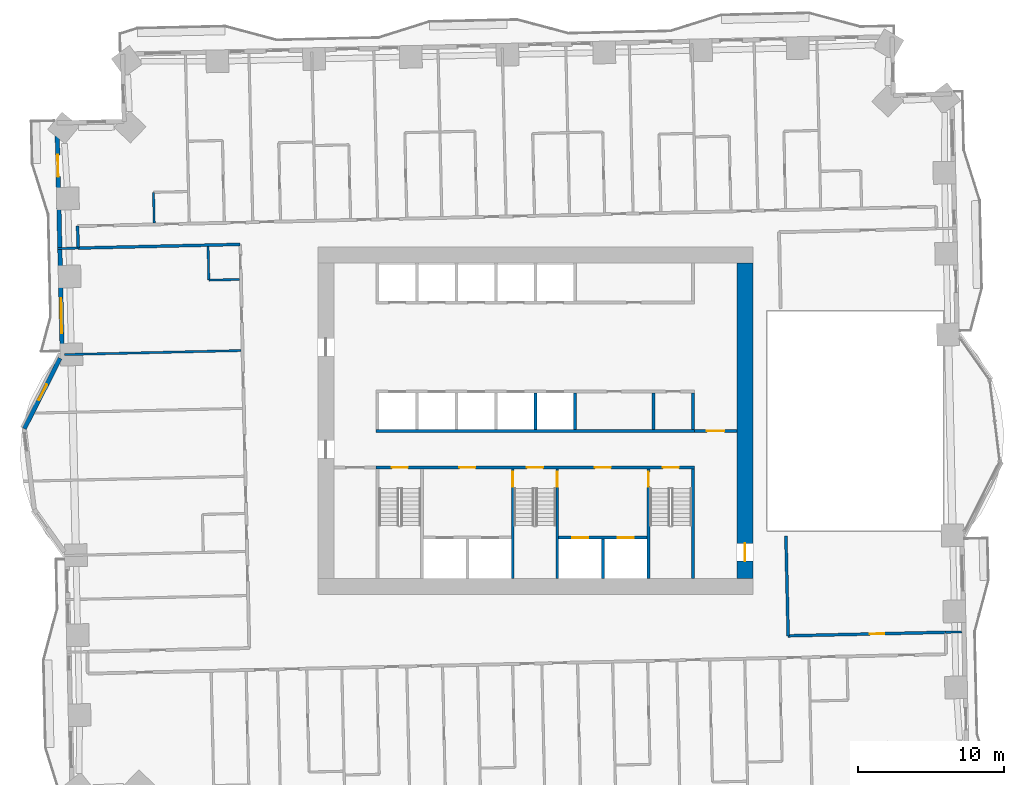
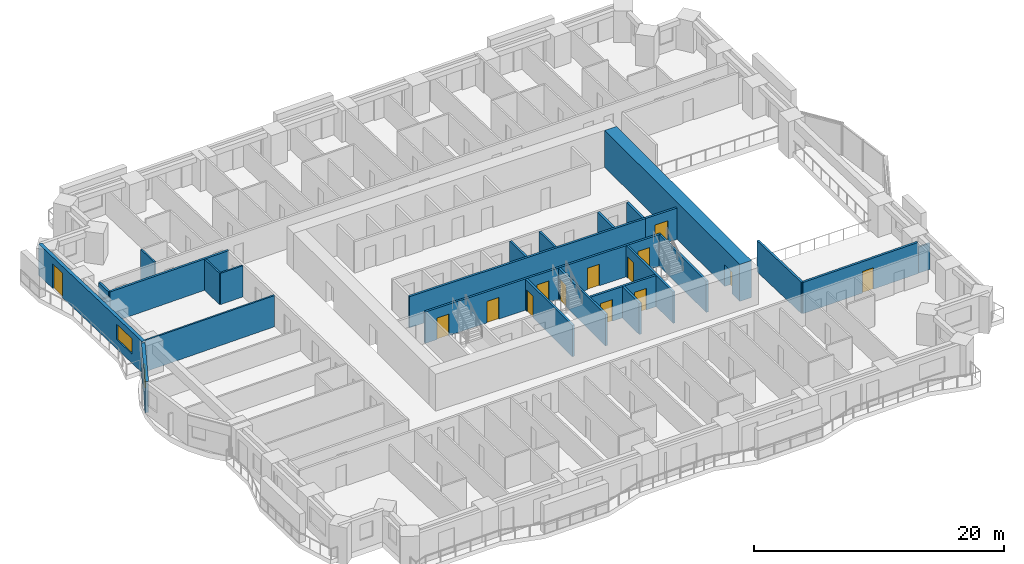
# One storey, part 8 of 16: 26 walls, 14 doors, 2 windows, 16 openings.
"""IFC4 building model written with IfcOpenShell, lengths in metres."""

from ifc_helpers import new_model, si_unit, direction, frame, frame_2d, origin, place, context, subcontext, project, spatial, rectangle, extrude, material, layer, layer_set, type_object, element, fill, save


model = new_model("IFC4")

# Units and contexts
model_context = context("Model", 3, precision=1e-05, world=origin(), true_north=direction((0.0, 1.0)))
body_context = subcontext(model_context, "Body", "Model", "MODEL_VIEW")
ifc_project = project(units=[si_unit("LENGTHUNIT", "METRE"), si_unit("AREAUNIT", "SQUARE_METRE"), si_unit("VOLUMEUNIT", "CUBIC_METRE"), si_unit("PLANEANGLEUNIT", "RADIAN"), si_unit("MASSUNIT", "GRAM", prefix="KILO")], contexts=[model_context])

# Site, building, storey
site_placement = place(None, origin())
site = spatial("IfcSite", under=ifc_project, at=site_placement, CompositionType="ELEMENT")
building_placement = place(site_placement, origin())
building = spatial("IfcBuilding", under=site, at=building_placement, Name="Mangrove Gate Tower", CompositionType="ELEMENT")
storey_placement = place(building_placement, frame((0.0, 0.0, 37.699951171875)))
storey = spatial("IfcBuildingStorey", under=building, at=storey_placement, Name="L08", CompositionType="ELEMENT", Elevation=37.699951171875)

# Wall, opening, door
ifc_material_1 = material(Name="Concrete C32/40", Category="concrete")
ifc_layer_1 = layer(ifc_material_1, 0.199951171875)
ifc_layer_set_1 = layer_set([ifc_layer_1], Name="Core lobby wall 200 C32/40")
wall_type_1 = type_object("IfcWallType", Name="Core lobby wall 200 C32/40", PredefinedType="STANDARD", material=ifc_layer_set_1)
wall_1_placement = place(storey_placement, frame((10.89990234375, -0.699951171875, 0.0), z_axis=(0.0, 0.0, 1.0), x_axis=(1.0, 0.0, 0.0)))
wall_1 = element("IfcWall", 1, at=wall_1_placement, inside=storey, type_object=wall_type_1, Name="WALL-L08-CORE-35", PredefinedType="STANDARD", context=body_context, shape_type="SweptSolid", body=[
    extrude(rectangle(XDim=2.900146484375, YDim=0.199951171875, at=frame_2d((1.4501953125, 0.0))), origin(), (0.0, 0.0, 1.0), 3.050048828125),
])
opening_1_placement = place(wall_1_placement, frame((0.85009765625, 0.0, 0.0)))
opening_1 = element("IfcOpeningElement", 2, at=opening_1_placement, cuts=wall_1, Name="Opening FL12", PredefinedType="OPENING", context=body_context, shape_type="SweptSolid", body=[
    extrude(rectangle(XDim=1.199951171875, YDim=2.10009765625, at=frame_2d((0.60009765625, 1.050048828125))), frame((0.0, 0.10986328125, 0.0), z_axis=(0.0, -1.0, 0.0), x_axis=(1.0, 0.0, 0.0)), (0.0, 0.0, 1.0), 0.219970703125),
])
ifc_material_2 = material(Name="Fire-rated steel door set", Category="steel")
door_type_1 = type_object("IfcDoorType", Name="Lobby door FD60 1200x2100", OperationType="SINGLE_SWING_LEFT", PredefinedType="DOOR", material=ifc_material_2)
door_1_placement = place(opening_1_placement, origin())
door_1 = element("IfcDoor", 3, at=door_1_placement, inside=storey, type_object=door_type_1, Name="Lobby door core corridor E partition", OperationType="SINGLE_SWING_LEFT", OverallHeight=2.10009765625, OverallWidth=1.199951171875, PredefinedType="DOOR", context=body_context, shape_type="SweptSolid", body=[
    extrude(rectangle(XDim=1.199951171875, YDim=2.10009765625, at=frame_2d((0.60009765625, 1.050048828125))), frame((0.0, 0.02490234375, 0.0), z_axis=(0.0, -1.0, 0.0), x_axis=(1.0, 0.0, 0.0)), (0.0, 0.0, 1.0), 0.050048828125),
])
fill(opening_1, door_1)

# Walls
ifc_material_3 = material(Name="Concrete C32/40", Category="concrete")
ifc_layer_2 = layer(ifc_material_3, 0.199951171875)
ifc_layer_set_2 = layer_set([ifc_layer_2], Name="Core room wall 200 C32/40")
wall_type_2 = type_object("IfcWallType", Name="Core room wall 200 C32/40", PredefinedType="STANDARD", material=ifc_layer_set_2)
for number, where, z_axis, x_axis, name in (
    (4, (8.10009765625, -0.60009765625, 0.0), (0.0, 0.0, 1.0), (0.0, 1.0, 0.0), "WALL-L08-CORE-25"),
    (5, (10.800048828125, -0.60009765625, 0.0), (0.0, 0.0, 1.0), (0.0, 1.0, 0.0), "WALL-L08-CORE-26"),
):
    element("IfcWall", number, at=place(storey_placement, frame(where, z_axis=z_axis, x_axis=x_axis)), inside=storey, type_object=wall_type_2, Name=name, PredefinedType="STANDARD", context=body_context, shape_type="SweptSolid", body=[
        extrude(rectangle(XDim=2.5, YDim=0.199951171875, at=frame_2d((1.25, 0.0))), origin(), (0.0, 0.0, 1.0), 3.050048828125),
    ])
ifc_material_4 = material(Name="Concrete C70/85", Category="concrete")
ifc_layer_3 = layer(ifc_material_4, 0.199951171875)
ifc_layer_set_3 = layer_set([ifc_layer_3], Name="Core shaft wall 200 C70/85")
wall_type_3 = type_object("IfcWallType", Name="Core shaft wall 200 C70/85", PredefinedType="SHEAR", material=ifc_layer_set_3)
wall_2_placement = place(storey_placement, frame((-10.89990234375, -0.699951171875, 0.0), z_axis=(0.0, 0.0, 1.0), x_axis=(1.0, 0.0, 0.0)))
element("IfcWall", 6, at=wall_2_placement, inside=storey, type_object=wall_type_3, Name="WALL-L08-CORE-6", PredefinedType="SHEAR", context=body_context, shape_type="SweptSolid", body=[
    extrude(rectangle(XDim=21.7998046875, YDim=0.199951171875, at=frame_2d((10.89990234375, 0.0))), origin(), (0.0, 0.0, 1.0), 3.050048828125),
])

# Wall, openings, doors
wall_3_placement = place(storey_placement, frame((1.60009765625, -8.0, 0.0), z_axis=(0.0, 0.0, 1.0), x_axis=(1.0, 0.0, 0.0)))
wall_3 = element("IfcWall", 7, at=wall_3_placement, inside=storey, type_object=wall_type_3, Name="WALL-L08-CORE-17", PredefinedType="SHEAR", context=body_context, shape_type="SweptSolid", body=[
    extrude(rectangle(XDim=6.0498046875, YDim=0.199951171875, at=frame_2d((3.02490234375, 0.0))), origin(), (0.0, 0.0, 1.0), 3.050048828125),
])
opening_2_placement = place(wall_3_placement, frame((0.91259765625, 0.0, 0.0)))
opening_2 = element("IfcOpeningElement", 8, at=opening_2_placement, cuts=wall_3, Name="Opening LD", PredefinedType="OPENING", context=body_context, shape_type="SweptSolid", body=[
    extrude(rectangle(XDim=1.10009765625, YDim=2.10009765625, at=frame_2d((0.550048828125, 1.050048828125))), frame((0.0, 0.10986328125, 0.0), z_axis=(0.0, -1.0, 0.0), x_axis=(1.0, 0.0, 0.0)), (0.0, 0.0, 1.0), 0.219970703125),
])
opening_3_placement = place(wall_3_placement, frame((4.03759765625, 0.0, 0.0)))
opening_3 = element("IfcOpeningElement", 9, at=opening_3_placement, cuts=wall_3, Name="Opening LD", PredefinedType="OPENING", context=body_context, shape_type="SweptSolid", body=[
    extrude(rectangle(XDim=1.10009765625, YDim=2.10009765625, at=frame_2d((0.550048828125, 1.050048828125))), frame((0.0, 0.10986328125, 0.0), z_axis=(0.0, -1.0, 0.0), x_axis=(1.0, 0.0, 0.0)), (0.0, 0.0, 1.0), 0.219970703125),
])
ifc_material_5 = material(Name="Stainless steel 316", Category="steel")
door_type_2 = type_object("IfcDoorType", Name="Lift landing door 1100x2100", OperationType="SLIDING_TO_LEFT", PredefinedType="DOOR", material=ifc_material_5)
door_2_placement = place(opening_2_placement, origin())
door_2 = element("IfcDoor", 10, at=door_2_placement, inside=storey, type_object=door_type_2, Name="Landing door LD FFL1", OperationType="SLIDING_TO_LEFT", OverallHeight=2.10009765625, OverallWidth=1.10009765625, PredefinedType="DOOR", context=body_context, shape_type="SweptSolid", body=[
    extrude(rectangle(XDim=1.10009765625, YDim=2.10009765625, at=frame_2d((0.550048828125, 1.050048828125))), frame((0.0, 0.02490234375, 0.0), z_axis=(0.0, -1.0, 0.0), x_axis=(1.0, 0.0, 0.0)), (0.0, 0.0, 1.0), 0.050048828125),
])
fill(opening_2, door_2)
door_3_placement = place(opening_3_placement, origin())
door_3 = element("IfcDoor", 11, at=door_3_placement, inside=storey, type_object=door_type_2, Name="Landing door LD FFL2", OperationType="SLIDING_TO_LEFT", OverallHeight=2.10009765625, OverallWidth=1.10009765625, PredefinedType="DOOR", context=body_context, shape_type="SweptSolid", body=[
    extrude(rectangle(XDim=1.10009765625, YDim=2.10009765625, at=frame_2d((0.550048828125, 1.050048828125))), frame((0.0, 0.02490234375, 0.0), z_axis=(0.0, -1.0, 0.0), x_axis=(1.0, 0.0, 0.0)), (0.0, 0.0, 1.0), 0.050048828125),
])
fill(opening_3, door_3)

# Walls
wall_4_placement = place(storey_placement, frame((4.625, -10.800048828125, 0.0), z_axis=(0.0, 0.0, 1.0), x_axis=(0.0, 1.0, 0.0)))
element("IfcWall", 12, at=wall_4_placement, inside=storey, type_object=wall_type_3, Name="WALL-L08-CORE-18", PredefinedType="SHEAR", context=body_context, shape_type="SweptSolid", body=[
    extrude(rectangle(XDim=2.699951171875, YDim=0.199951171875, at=frame_2d((1.35009765625, 0.0))), origin(), (0.0, 0.0, 1.0), 3.050048828125),
])
for number, where, z_axis, x_axis, name in (
    (13, (0.0, -0.60009765625, 0.0), (0.0, 0.0, 1.0), (0.0, 1.0, 0.0), "WALL-L08-CORE-23"),
    (14, (2.699951171875, -0.60009765625, 0.0), (0.0, 0.0, 1.0), (0.0, 1.0, 0.0), "WALL-L08-CORE-24"),
):
    element("IfcWall", number, at=place(storey_placement, frame(where, z_axis=z_axis, x_axis=x_axis)), inside=storey, type_object=wall_type_3, Name=name, PredefinedType="SHEAR", context=body_context, shape_type="SweptSolid", body=[
        extrude(rectangle(XDim=2.5, YDim=0.199951171875, at=frame_2d((1.25, 0.0))), origin(), (0.0, 0.0, 1.0), 3.050048828125),
    ])

# Wall, openings, doors
ifc_material_6 = material(Name="Concrete C70/85", Category="concrete")
ifc_layer_4 = layer(ifc_material_6, 0.199951171875)
ifc_layer_set_4 = layer_set([ifc_layer_4], Name="Core stair wall 200 C70/85")
wall_type_4 = type_object("IfcWallType", Name="Core stair wall 200 C70/85", PredefinedType="SHEAR", material=ifc_layer_set_4)
wall_5_placement = place(storey_placement, frame((-10.89990234375, -3.199951171875, 0.0), z_axis=(0.0, 0.0, 1.0), x_axis=(1.0, 0.0, 0.0)))
wall_5 = element("IfcWall", 15, at=wall_5_placement, inside=storey, type_object=wall_type_4, Name="WALL-L08-CORE-5", PredefinedType="SHEAR", context=body_context, shape_type="SweptSolid", body=[
    extrude(rectangle(XDim=21.7998046875, YDim=0.199951171875, at=frame_2d((10.89990234375, 0.0))), origin(), (0.0, 0.0, 1.0), 3.050048828125),
])
opening_4_placement = place(wall_5_placement, frame((1.074951171875, 0.0, 0.0)))
opening_4 = element("IfcOpeningElement", 16, at=opening_4_placement, cuts=wall_5, Name="Opening STD11", PredefinedType="OPENING", context=body_context, shape_type="SweptSolid", body=[
    extrude(rectangle(XDim=1.10009765625, YDim=2.10009765625, at=frame_2d((0.550048828125, 1.050048828125))), frame((0.0, 0.10986328125, 0.0), z_axis=(0.0, -1.0, 0.0), x_axis=(1.0, 0.0, 0.0)), (0.0, 0.0, 1.0), 0.219970703125),
])
opening_5_placement = place(wall_5_placement, frame((10.324951171875, 0.0, 0.0)))
opening_5 = element("IfcOpeningElement", 17, at=opening_5_placement, cuts=wall_5, Name="Opening STD11", PredefinedType="OPENING", context=body_context, shape_type="SweptSolid", body=[
    extrude(rectangle(XDim=1.10009765625, YDim=2.10009765625, at=frame_2d((0.550048828125, 1.050048828125))), frame((0.0, 0.10986328125, 0.0), z_axis=(0.0, -1.0, 0.0), x_axis=(1.0, 0.0, 0.0)), (0.0, 0.0, 1.0), 0.219970703125),
])
opening_6_placement = place(wall_5_placement, frame((19.625, 0.0, 0.0)))
opening_6 = element("IfcOpeningElement", 18, at=opening_6_placement, cuts=wall_5, Name="Opening STD11", PredefinedType="OPENING", context=body_context, shape_type="SweptSolid", body=[
    extrude(rectangle(XDim=1.10009765625, YDim=2.10009765625, at=frame_2d((0.550048828125, 1.050048828125))), frame((0.0, 0.10986328125, 0.0), z_axis=(0.0, -1.0, 0.0), x_axis=(1.0, 0.0, 0.0)), (0.0, 0.0, 1.0), 0.219970703125),
])
opening_7_placement = place(wall_5_placement, frame((5.699951171875, 0.0, 0.0)))
opening_7 = element("IfcOpeningElement", 19, at=opening_7_placement, cuts=wall_5, Name="Opening FL", PredefinedType="OPENING", context=body_context, shape_type="SweptSolid", body=[
    extrude(rectangle(XDim=1.10009765625, YDim=2.10009765625, at=frame_2d((0.550048828125, 1.050048828125))), frame((0.0, 0.10986328125, 0.0), z_axis=(0.0, -1.0, 0.0), x_axis=(1.0, 0.0, 0.0)), (0.0, 0.0, 1.0), 0.219970703125),
])
opening_8_placement = place(wall_5_placement, frame((14.97509765625, 0.0, 0.0)))
opening_8 = element("IfcOpeningElement", 20, at=opening_8_placement, cuts=wall_5, Name="Opening FL", PredefinedType="OPENING", context=body_context, shape_type="SweptSolid", body=[
    extrude(rectangle(XDim=1.10009765625, YDim=2.10009765625, at=frame_2d((0.550048828125, 1.050048828125))), frame((0.0, 0.10986328125, 0.0), z_axis=(0.0, -1.0, 0.0), x_axis=(1.0, 0.0, 0.0)), (0.0, 0.0, 1.0), 0.219970703125),
])
ifc_material_7 = material(Name="Fire-rated steel door set", Category="steel")
door_type_3 = type_object("IfcDoorType", Name="Lobby door FD60 1100x2100", OperationType="SINGLE_SWING_LEFT", PredefinedType="DOOR", material=ifc_material_7)
door_4_placement = place(opening_7_placement, origin())
door_4 = element("IfcDoor", 21, at=door_4_placement, inside=storey, type_object=door_type_3, Name="Lobby door service lobby", OperationType="SINGLE_SWING_LEFT", OverallHeight=2.10009765625, OverallWidth=1.10009765625, PredefinedType="DOOR", context=body_context, shape_type="SweptSolid", body=[
    extrude(rectangle(XDim=1.10009765625, YDim=2.10009765625, at=frame_2d((0.550048828125, 1.050048828125))), frame((0.0, 0.02490234375, 0.0), z_axis=(0.0, -1.0, 0.0), x_axis=(1.0, 0.0, 0.0)), (0.0, 0.0, 1.0), 0.050048828125),
])
fill(opening_7, door_4)
door_5_placement = place(opening_8_placement, origin())
door_5 = element("IfcDoor", 22, at=door_5_placement, inside=storey, type_object=door_type_3, Name="Lobby door fire-fighting lobby", OperationType="SINGLE_SWING_LEFT", OverallHeight=2.10009765625, OverallWidth=1.10009765625, PredefinedType="DOOR", context=body_context, shape_type="SweptSolid", body=[
    extrude(rectangle(XDim=1.10009765625, YDim=2.10009765625, at=frame_2d((0.550048828125, 1.050048828125))), frame((0.0, 0.02490234375, 0.0), z_axis=(0.0, -1.0, 0.0), x_axis=(1.0, 0.0, 0.0)), (0.0, 0.0, 1.0), 0.050048828125),
])
fill(opening_8, door_5)
ifc_material_8 = material(Name="Fire-rated steel door set", Category="steel")
door_type_4 = type_object("IfcDoorType", Name="Stair door FD60 1100x2100", OperationType="SINGLE_SWING_RIGHT", PredefinedType="DOOR", material=ifc_material_8)
door_6_placement = place(opening_4_placement, origin())
door_6 = element("IfcDoor", 23, at=door_6_placement, inside=storey, type_object=door_type_4, Name="Stair door Stair 1", OperationType="SINGLE_SWING_RIGHT", OverallHeight=2.10009765625, OverallWidth=1.10009765625, PredefinedType="DOOR", context=body_context, shape_type="SweptSolid", body=[
    extrude(rectangle(XDim=1.10009765625, YDim=2.10009765625, at=frame_2d((0.550048828125, 1.050048828125))), frame((0.0, 0.02490234375, 0.0), z_axis=(0.0, -1.0, 0.0), x_axis=(1.0, 0.0, 0.0)), (0.0, 0.0, 1.0), 0.050048828125),
])
fill(opening_4, door_6)
door_7_placement = place(opening_5_placement, origin())
door_7 = element("IfcDoor", 24, at=door_7_placement, inside=storey, type_object=door_type_4, Name="Stair door Stair 2", OperationType="SINGLE_SWING_RIGHT", OverallHeight=2.10009765625, OverallWidth=1.10009765625, PredefinedType="DOOR", context=body_context, shape_type="SweptSolid", body=[
    extrude(rectangle(XDim=1.10009765625, YDim=2.10009765625, at=frame_2d((0.550048828125, 1.050048828125))), frame((0.0, 0.02490234375, 0.0), z_axis=(0.0, -1.0, 0.0), x_axis=(1.0, 0.0, 0.0)), (0.0, 0.0, 1.0), 0.050048828125),
])
fill(opening_5, door_7)
door_8_placement = place(opening_6_placement, origin())
door_8 = element("IfcDoor", 25, at=door_8_placement, inside=storey, type_object=door_type_4, Name="Stair door Stair 3", OperationType="SINGLE_SWING_RIGHT", OverallHeight=2.10009765625, OverallWidth=1.10009765625, PredefinedType="DOOR", context=body_context, shape_type="SweptSolid", body=[
    extrude(rectangle(XDim=1.10009765625, YDim=2.10009765625, at=frame_2d((0.550048828125, 1.050048828125))), frame((0.0, 0.02490234375, 0.0), z_axis=(0.0, -1.0, 0.0), x_axis=(1.0, 0.0, 0.0)), (0.0, 0.0, 1.0), 0.050048828125),
])
fill(opening_6, door_8)

# Wall, opening, door
wall_6_placement = place(storey_placement, frame((-1.550048828125, -10.800048828125, 0.0), z_axis=(0.0, 0.0, 1.0), x_axis=(0.0, 1.0, 0.0)))
wall_6 = element("IfcWall", 26, at=wall_6_placement, inside=storey, type_object=wall_type_4, Name="WALL-L08-CORE-11", PredefinedType="SHEAR", context=body_context, shape_type="SweptSolid", body=[
    extrude(rectangle(XDim=7.5, YDim=0.199951171875, at=frame_2d((3.75, 0.0))), origin(), (0.0, 0.0, 1.0), 3.050048828125),
])
opening_9_placement = place(wall_6_placement, frame((6.300048828125, 0.0, 0.0)))
opening_9 = element("IfcOpeningElement", 27, at=opening_9_placement, cuts=wall_6, Name="Opening STD10", PredefinedType="OPENING", context=body_context, shape_type="SweptSolid", body=[
    extrude(rectangle(XDim=1.0, YDim=2.10009765625, at=frame_2d((0.5, 1.050048828125))), frame((0.0, 0.10986328125, 0.0), z_axis=(0.0, -1.0, 0.0), x_axis=(1.0, 0.0, 0.0)), (0.0, 0.0, 1.0), 0.219970703125),
])
ifc_material_9 = material(Name="Fire-rated steel door set", Category="steel")
door_type_5 = type_object("IfcDoorType", Name="Stair door FD60 1000x2100", OperationType="SINGLE_SWING_RIGHT", PredefinedType="DOOR", material=ifc_material_9)
door_9_placement = place(opening_9_placement, origin())
door_9 = element("IfcDoor", 28, at=door_9_placement, inside=storey, type_object=door_type_5, Name="Stair door Stair 2 from service lobby", OperationType="SINGLE_SWING_RIGHT", OverallHeight=2.10009765625, OverallWidth=1.0, PredefinedType="DOOR", context=body_context, shape_type="SweptSolid", body=[
    extrude(rectangle(XDim=1.0, YDim=2.10009765625, at=frame_2d((0.5, 1.050048828125))), frame((0.0, 0.02490234375, 0.0), z_axis=(0.0, -1.0, 0.0), x_axis=(1.0, 0.0, 0.0)), (0.0, 0.0, 1.0), 0.050048828125),
])
fill(opening_9, door_9)

wall_7_placement = place(storey_placement, frame((1.5, -10.800048828125, 0.0), z_axis=(0.0, 0.0, 1.0), x_axis=(0.0, 1.0, 0.0)))
wall_7 = element("IfcWall", 29, at=wall_7_placement, inside=storey, type_object=wall_type_4, Name="WALL-L08-CORE-12", PredefinedType="SHEAR", context=body_context, shape_type="SweptSolid", body=[
    extrude(rectangle(XDim=7.5, YDim=0.199951171875, at=frame_2d((3.75, 0.0))), origin(), (0.0, 0.0, 1.0), 3.050048828125),
])
opening_10_placement = place(wall_7_placement, frame((6.300048828125, 0.0, 0.0)))
opening_10 = element("IfcOpeningElement", 30, at=opening_10_placement, cuts=wall_7, Name="Opening STD10", PredefinedType="OPENING", context=body_context, shape_type="SweptSolid", body=[
    extrude(rectangle(XDim=1.0, YDim=2.10009765625, at=frame_2d((0.5, 1.050048828125))), frame((0.0, 0.10986328125, 0.0), z_axis=(0.0, -1.0, 0.0), x_axis=(1.0, 0.0, 0.0)), (0.0, 0.0, 1.0), 0.219970703125),
])
door_10_placement = place(opening_10_placement, origin())
door_10 = element("IfcDoor", 31, at=door_10_placement, inside=storey, type_object=door_type_5, Name="Stair door Stair 2 from fire-fighting lobby", OperationType="SINGLE_SWING_RIGHT", OverallHeight=2.10009765625, OverallWidth=1.0, PredefinedType="DOOR", context=body_context, shape_type="SweptSolid", body=[
    extrude(rectangle(XDim=1.0, YDim=2.10009765625, at=frame_2d((0.5, 1.050048828125))), frame((0.0, 0.02490234375, 0.0), z_axis=(0.0, -1.0, 0.0), x_axis=(1.0, 0.0, 0.0)), (0.0, 0.0, 1.0), 0.050048828125),
])
fill(opening_10, door_10)

wall_8_placement = place(storey_placement, frame((7.75, -10.800048828125, 0.0), z_axis=(0.0, 0.0, 1.0), x_axis=(0.0, 1.0, 0.0)))
wall_8 = element("IfcWall", 32, at=wall_8_placement, inside=storey, type_object=wall_type_4, Name="WALL-L08-CORE-13", PredefinedType="SHEAR", context=body_context, shape_type="SweptSolid", body=[
    extrude(rectangle(XDim=7.5, YDim=0.199951171875, at=frame_2d((3.75, 0.0))), origin(), (0.0, 0.0, 1.0), 3.050048828125),
])
opening_11_placement = place(wall_8_placement, frame((6.300048828125, 0.0, 0.0)))
opening_11 = element("IfcOpeningElement", 33, at=opening_11_placement, cuts=wall_8, Name="Opening STD10", PredefinedType="OPENING", context=body_context, shape_type="SweptSolid", body=[
    extrude(rectangle(XDim=1.0, YDim=2.10009765625, at=frame_2d((0.5, 1.050048828125))), frame((0.0, 0.10986328125, 0.0), z_axis=(0.0, -1.0, 0.0), x_axis=(1.0, 0.0, 0.0)), (0.0, 0.0, 1.0), 0.219970703125),
])
door_11_placement = place(opening_11_placement, origin())
door_11 = element("IfcDoor", 34, at=door_11_placement, inside=storey, type_object=door_type_5, Name="Stair door Stair 3 from fire-fighting lobby", OperationType="SINGLE_SWING_RIGHT", OverallHeight=2.10009765625, OverallWidth=1.0, PredefinedType="DOOR", context=body_context, shape_type="SweptSolid", body=[
    extrude(rectangle(XDim=1.0, YDim=2.10009765625, at=frame_2d((0.5, 1.050048828125))), frame((0.0, 0.02490234375, 0.0), z_axis=(0.0, -1.0, 0.0), x_axis=(1.0, 0.0, 0.0)), (0.0, 0.0, 1.0), 0.050048828125),
])
fill(opening_11, door_11)

# Wall
wall_9_placement = place(storey_placement, frame((10.800048828125, -10.800048828125, 0.0), z_axis=(0.0, 0.0, 1.0), x_axis=(0.0, 1.0, 0.0)))
element("IfcWall", 35, at=wall_9_placement, inside=storey, type_object=wall_type_4, Name="WALL-L08-CORE-14", PredefinedType="SHEAR", context=body_context, shape_type="SweptSolid", body=[
    extrude(rectangle(XDim=7.5, YDim=0.199951171875, at=frame_2d((3.75, 0.0))), origin(), (0.0, 0.0, 1.0), 3.050048828125),
])

# Wall, opening, door
ifc_material_10 = material(Name="Concrete C70/85", Category="concrete")
ifc_layer_5 = layer(ifc_material_10, 1.10009765625)
ifc_layer_set_5 = layer_set([ifc_layer_5], Name="Core wall 1100 C70/85")
wall_type_5 = type_object("IfcWallType", Name="Core wall 1100 C70/85", PredefinedType="SHEAR", material=ifc_layer_set_5)
wall_10_placement = place(storey_placement, frame((14.35009765625, -10.800048828125, 0.0), z_axis=(0.0, 0.0, 1.0), x_axis=(0.0, 1.0, 0.0)))
wall_10 = element("IfcWall", 36, at=wall_10_placement, inside=storey, type_object=wall_type_5, Name="WALL-L08-CORE-4", PredefinedType="SHEAR", context=body_context, shape_type="SweptSolid", body=[
    extrude(rectangle(XDim=21.60009765625, YDim=1.10009765625, at=frame_2d((10.800048828125, 0.0))), origin(), (0.0, 0.0, 1.0), 3.60009765625),
])
opening_12_placement = place(wall_10_placement, frame((1.199951171875, 0.0, 0.0)))
opening_12 = element("IfcOpeningElement", 37, at=opening_12_placement, cuts=wall_10, Name="Opening CD", PredefinedType="OPENING", context=body_context, shape_type="SweptSolid", body=[
    extrude(rectangle(XDim=1.199951171875, YDim=2.10009765625, at=frame_2d((0.60009765625, 1.050048828125))), frame((0.0, 0.56005859375, 0.0), z_axis=(0.0, -1.0, 0.0), x_axis=(1.0, 0.0, 0.0)), (0.0, 0.0, 1.0), 1.1201171875),
])
ifc_material_11 = material(Name="Fire-rated steel door set", Category="steel")
door_type_6 = type_object("IfcDoorType", Name="Core ring door FD60 1200x2100", OperationType="DOUBLE_DOOR_SINGLE_SWING", PredefinedType="DOOR", material=ifc_material_11)
door_12_placement = place(opening_12_placement, origin())
door_12 = element("IfcDoor", 38, at=door_12_placement, inside=storey, type_object=door_type_6, Name="Core ring door E1", OperationType="DOUBLE_DOOR_SINGLE_SWING", OverallHeight=2.10009765625, OverallWidth=1.199951171875, PredefinedType="DOOR", context=body_context, shape_type="SweptSolid", body=[
    extrude(rectangle(XDim=1.199951171875, YDim=2.10009765625, at=frame_2d((0.60009765625, 1.050048828125))), frame((0.0, 0.02490234375, 0.0), z_axis=(0.0, -1.0, 0.0), x_axis=(1.0, 0.0, 0.0)), (0.0, 0.0, 1.0), 0.050048828125),
])
fill(opening_12, door_12)

ifc_material_12 = material(Name="Gypsum board on steel stud, EI 60", Category="steel")
ifc_layer_6 = layer(ifc_material_12, 0.199951171875)
ifc_layer_set_6 = layer_set([ifc_layer_6], Name="Corridor wall EI 60")
wall_type_6 = type_object("IfcWallType", Name="Corridor wall EI 60", PredefinedType="PARTITIONING", material=ifc_layer_set_6)
wall_11_placement = place(storey_placement, frame((17.305908203125, -14.72412109375, 0.0), z_axis=(0.0, 0.0, 1.0), x_axis=(0.999744269809, 0.022614043969, 0.0)))
wall_11 = element("IfcWall", 39, at=wall_11_placement, inside=storey, type_object=wall_type_6, Name="WALL-L08-037", PredefinedType="PARTITIONING", context=body_context, shape_type="SweptSolid", body=[
    extrude(rectangle(XDim=10.7958984375, YDim=0.199951171875, at=frame_2d((5.39794921875, 0.0))), origin(), (0.0, 0.0, 1.0), 3.050048828125),
])
opening_13_placement = place(wall_11_placement, frame((5.597900390625, 0.0, 0.0)))
opening_13 = element("IfcOpeningElement", 40, at=opening_13_placement, cuts=wall_11, Name="Opening AD", PredefinedType="OPENING", context=body_context, shape_type="SweptSolid", body=[
    extrude(rectangle(XDim=1.0, YDim=2.10009765625, at=frame_2d((0.5, 1.050048828125))), frame((0.0, 0.10986328125, 0.0), z_axis=(0.0, -1.0, 0.0), x_axis=(1.0, 0.0, 0.0)), (0.0, 0.0, 1.0), 0.219970703125),
])
ifc_material_13 = material(Name="Timber door leaf", Category="wood")
door_type_7 = type_object("IfcDoorType", Name="Amenity door 1000", OperationType="SINGLE_SWING_LEFT", PredefinedType="DOOR", material=ifc_material_13)
door_13_placement = place(opening_13_placement, origin())
door_13 = element("IfcDoor", 41, at=door_13_placement, inside=storey, type_object=door_type_7, Name="DOOR-L08-LNG-c3a", OperationType="SINGLE_SWING_LEFT", OverallHeight=2.10009765625, OverallWidth=1.0, PredefinedType="DOOR", context=body_context, shape_type="SweptSolid", body=[
    extrude(rectangle(XDim=1.0, YDim=2.10009765625, at=frame_2d((0.5, 1.050048828125))), frame((0.0, 0.02490234375, 0.0), z_axis=(0.0, -1.0, 0.0), x_axis=(1.0, 0.0, 0.0)), (0.0, 0.0, 1.0), 0.050048828125),
])
fill(opening_13, door_13)

# Walls
wall_12_placement = place(storey_placement, frame((17.31103515625, -14.72412109375, 0.0), z_axis=(0.0, 0.0, 1.0), x_axis=(-0.022562209343, 0.999745440955, 0.0)))
element("IfcWall", 42, at=wall_12_placement, inside=storey, type_object=wall_type_6, Name="WALL-L08-038", PredefinedType="PARTITIONING", context=body_context, shape_type="SweptSolid", body=[
    extrude(rectangle(XDim=6.827880859375, YDim=0.199951171875, at=frame_2d((3.4140625, 0.0))), origin(), (0.0, 0.0, 1.0), 3.050048828125),
])
wall_13_placement = place(storey_placement, frame((-31.31298828125, 11.8291015625, 0.0), z_axis=(0.0, 0.0, 1.0), x_axis=(0.999742346277, 0.022698921993, 0.0)))
element("IfcWall", 43, at=wall_13_placement, inside=storey, type_object=wall_type_6, Name="WALL-L08-051", PredefinedType="PARTITIONING", context=body_context, shape_type="SweptSolid", body=[
    extrude(rectangle(XDim=11.099853515625, YDim=0.199951171875, at=frame_2d((5.5498046875, 0.0))), origin(), (0.0, 0.0, 1.0), 3.050048828125),
])
wall_14_placement = place(storey_placement, frame((-31.31298828125, 11.8291015625, 0.0), z_axis=(0.0, 0.0, 1.0), x_axis=(-0.022617910375, 0.999744182344, 0.0)))
element("IfcWall", 44, at=wall_14_placement, inside=storey, type_object=wall_type_6, Name="WALL-L08-052", PredefinedType="PARTITIONING", context=body_context, shape_type="SweptSolid", body=[
    extrude(rectangle(XDim=1.50048828125, YDim=0.199951171875, at=frame_2d((0.750244140625, 0.0))), origin(), (0.0, 0.0, 1.0), 3.050048828125),
])

# Wall, openings, door, window
ifc_material_14 = material(Name="Limestone", Category="masonry")
ifc_layer_7 = layer(ifc_material_14, 0.0400390625, Name="Limestone cladding")
ifc_material_15 = material(Name="Ventilated air gap")
ifc_layer_8 = layer(ifc_material_15, 0.0400390625, Name="Ventilated cavity")
ifc_material_16 = material(Name="Mineral wool insulation")
ifc_layer_9 = layer(ifc_material_16, 0.06005859375, Name="Insulation")
ifc_material_17 = material(Name="Breather membrane")
ifc_layer_10 = layer(ifc_material_17, 0.001953125, Name="Breather membrane")
ifc_material_18 = material(Name="Concrete C20/25 blockwork", Category="masonry")
ifc_layer_11 = layer(ifc_material_18, 0.14990234375, Name="Blockwork backing wall")
ifc_material_19 = material(Name="Gypsum plaster")
ifc_layer_12 = layer(ifc_material_19, 0.008056640625, Name="Internal plaster")
ifc_layer_set_7 = layer_set([ifc_layer_7, ifc_layer_8, ifc_layer_9, ifc_layer_10, ifc_layer_11, ifc_layer_12], Name="External wall 300 limestone cladding")
wall_type_7 = type_object("IfcWallType", Name="External wall 300 limestone cladding", PredefinedType="SOLIDWALL", material=ifc_layer_set_7)
wall_15_placement = place(storey_placement, frame((-32.758056640625, 20.39892578125, 0.0), z_axis=(0.0, 0.0, 1.0), x_axis=(0.022668485183, -0.999743036875, 0.0)))
wall_15 = element("IfcWall", 45, at=wall_15_placement, inside=storey, type_object=wall_type_7, Name="WALL-L08-W8", PredefinedType="SOLIDWALL", context=body_context, shape_type="SweptSolid", body=[
    extrude(rectangle(XDim=15.928955078125, YDim=0.300048828125, at=frame_2d((7.96435546875, 0.0))), origin(), (0.0, 0.0, 1.0), 3.050048828125),
])
opening_14_placement = place(wall_15_placement, frame((2.18310546875, 0.0, 0.0)))
opening_14 = element("IfcOpeningElement", 46, at=opening_14_placement, cuts=wall_15, Name="Opening BD1", PredefinedType="OPENING", context=body_context, shape_type="SweptSolid", body=[
    extrude(rectangle(XDim=1.5, YDim=2.39990234375, at=frame_2d((0.75, 1.199951171875))), frame((0.0, 0.159912109375, 0.0), z_axis=(0.0, -1.0, 0.0), x_axis=(1.0, 0.0, 0.0)), (0.0, 0.0, 1.0), 0.320068359375),
])
opening_15_placement = place(wall_15_placement, frame((12.00390625, 0.0, 0.89990234375)))
opening_15 = element("IfcOpeningElement", 47, at=opening_15_placement, cuts=wall_15, Name="Opening W2", PredefinedType="OPENING", context=body_context, shape_type="SweptSolid", body=[
    extrude(rectangle(XDim=2.39990234375, YDim=1.5, at=frame_2d((1.199951171875, 0.75))), frame((0.0, 0.159912109375, 0.0), z_axis=(0.0, -1.0, 0.0), x_axis=(1.0, 0.0, 0.0)), (0.0, 0.0, 1.0), 0.320068359375),
])
ifc_material_20 = material(Name="Aluminium frame with laminated clear glass", Category="aluminium")
door_type_8 = type_object("IfcDoorType", Name="Balcony sliding door 1500x2400", OperationType="SLIDING_TO_LEFT", PredefinedType="DOOR", material=ifc_material_20)
door_14_placement = place(opening_14_placement, origin())
door_14 = element("IfcDoor", 48, at=door_14_placement, inside=storey, type_object=door_type_8, Name="DOOR-L08-W8-1", OperationType="SLIDING_TO_LEFT", OverallHeight=2.39990234375, OverallWidth=1.5, PredefinedType="DOOR", context=body_context, shape_type="SweptSolid", body=[
    extrude(rectangle(XDim=1.5, YDim=2.39990234375, at=frame_2d((0.75, 1.199951171875))), frame((0.0, 0.02490234375, 0.0), z_axis=(0.0, -1.0, 0.0), x_axis=(1.0, 0.0, 0.0)), (0.0, 0.0, 1.0), 0.050048828125),
])
fill(opening_14, door_14)
ifc_material_21 = material(Name="Aluminium frame with double-glazed low-e glass", Category="aluminium")
window_type_1 = type_object("IfcWindowType", Name="Corner room window 2400x1500", PartitioningType="DOUBLE_PANEL_VERTICAL", PredefinedType="WINDOW", material=ifc_material_21)
window_1_placement = place(opening_15_placement, origin())
window_1 = element("IfcWindow", 49, at=window_1_placement, inside=storey, type_object=window_type_1, Name="WIN-L08-W8-2", OverallHeight=1.5, OverallWidth=2.39990234375, PartitioningType="DOUBLE_PANEL_VERTICAL", PredefinedType="WINDOW", context=body_context, shape_type="SweptSolid", body=[
    extrude(rectangle(XDim=2.39990234375, YDim=1.5, at=frame_2d((1.199951171875, 0.75))), frame((0.0, 0.030029296875, 0.0), z_axis=(0.0, -1.0, 0.0), x_axis=(1.0, 0.0, 0.0)), (0.0, 0.0, 1.0), 0.06005859375),
])
fill(opening_15, window_1)

# Wall, opening, window
wall_16_placement = place(storey_placement, frame((-32.552001953125, 4.280029296875, 0.0), z_axis=(0.0, 0.0, 1.0), x_axis=(-0.452703975507, -0.891660871946, 0.0)))
wall_16 = element("IfcWall", 50, at=wall_16_placement, inside=storey, type_object=wall_type_7, Name="WALL-L08-W9f1", PredefinedType="SOLIDWALL", context=body_context, shape_type="SweptSolid", body=[
    extrude(rectangle(XDim=5.39892578125, YDim=0.300048828125, at=frame_2d((2.699462890625, 0.0))), origin(), (0.0, 0.0, 1.0), 3.050048828125),
])
opening_16_placement = place(wall_16_placement, frame((2.007080078125, 0.0, 0.89990234375)))
opening_16 = element("IfcOpeningElement", 51, at=opening_16_placement, cuts=wall_16, Name="Opening W1", PredefinedType="OPENING", context=body_context, shape_type="SweptSolid", body=[
    extrude(rectangle(XDim=1.199951171875, YDim=1.5, at=frame_2d((0.60009765625, 0.75))), frame((0.0, 0.159912109375, 0.0), z_axis=(0.0, -1.0, 0.0), x_axis=(1.0, 0.0, 0.0)), (0.0, 0.0, 1.0), 0.320068359375),
])
ifc_material_22 = material(Name="Aluminium frame with double-glazed low-e glass", Category="aluminium")
window_type_2 = type_object("IfcWindowType", Name="Side lite 1200x1500", PartitioningType="SINGLE_PANEL", PredefinedType="WINDOW", material=ifc_material_22)
window_2_placement = place(opening_16_placement, origin())
window_2 = element("IfcWindow", 52, at=window_2_placement, inside=storey, type_object=window_type_2, Name="WIN-L08-W9f1", OverallHeight=1.5, OverallWidth=1.199951171875, PartitioningType="SINGLE_PANEL", PredefinedType="WINDOW", context=body_context, shape_type="SweptSolid", body=[
    extrude(rectangle(XDim=1.199951171875, YDim=1.5, at=frame_2d((0.60009765625, 0.75))), frame((0.0, 0.030029296875, 0.0), z_axis=(0.0, -1.0, 0.0), x_axis=(1.0, 0.0, 0.0)), (0.0, 0.0, 1.0), 0.06005859375),
])
fill(opening_16, window_2)

# Walls
ifc_material_23 = material(Name="Gypsum board on steel stud, EI 60", Category="steel")
ifc_layer_13 = layer(ifc_material_23, 0.14990234375)
ifc_layer_set_8 = layer_set([ifc_layer_13], Name="Party wall 150 EI 60")
wall_type_8 = type_object("IfcWallType", Name="Party wall 150 EI 60", PredefinedType="PARTITIONING", material=ifc_layer_set_8)
wall_17_placement = place(storey_placement, frame((28.094970703125, -14.47998046875, 0.0), z_axis=(0.0, 0.0, 1.0), x_axis=(0.999745251335, 0.022570609924, 0.0)))
element("IfcWall", 53, at=wall_17_placement, inside=storey, type_object=wall_type_8, Name="WALL-L08-039", PredefinedType="PARTITIONING", context=body_context, shape_type="SweptSolid", body=[
    extrude(rectangle(XDim=1.103271484375, YDim=0.14990234375, at=frame_2d((0.5517578125, 0.0))), origin(), (0.0, 0.0, 1.0), 2.550048828125),
])
wall_18_placement = place(storey_placement, frame((-32.248046875, 4.535888671875, 0.0), z_axis=(0.0, 0.0, 1.0), x_axis=(0.999741439573, 0.022738821441, 0.0)))
element("IfcWall", 54, at=wall_18_placement, inside=storey, type_object=wall_type_8, Name="WALL-L08-046", PredefinedType="PARTITIONING", context=body_context, shape_type="SweptSolid", body=[
    extrude(rectangle(XDim=12.100341796875, YDim=0.14990234375, at=frame_2d((6.05029296875, 0.0))), origin(), (0.0, 0.0, 1.0), 3.050048828125),
])
wall_19_placement = place(storey_placement, frame((-22.361083984375, 9.632080078125, 0.0), z_axis=(0.0, 0.0, 1.0), x_axis=(0.999740272436, 0.02279007832, 0.0)))
element("IfcWall", 55, at=wall_19_placement, inside=storey, type_object=wall_type_8, Name="WALL-L08-048", PredefinedType="PARTITIONING", context=body_context, shape_type="SweptSolid", body=[
    extrude(rectangle(XDim=2.099609375, YDim=0.14990234375, at=frame_2d((1.0498046875, 0.0))), origin(), (0.0, 0.0, 1.0), 3.050048828125),
])
wall_20_placement = place(storey_placement, frame((-22.361083984375, 9.632080078125, 0.0), z_axis=(0.0, 0.0, 1.0), x_axis=(-0.022615284993, 0.999744241736, 0.0)))
element("IfcWall", 56, at=wall_20_placement, inside=storey, type_object=wall_type_8, Name="WALL-L08-049", PredefinedType="PARTITIONING", context=body_context, shape_type="SweptSolid", body=[
    extrude(rectangle(XDim=2.29931640625, YDim=0.14990234375, at=frame_2d((1.149658203125, 0.0))), origin(), (0.0, 0.0, 1.0), 3.050048828125),
])
wall_21_placement = place(storey_placement, frame((-32.712890625, 11.798095703125, 0.0), z_axis=(0.0, 0.0, 1.0), x_axis=(0.999756172383, 0.022081571112, 0.0)))
element("IfcWall", 57, at=wall_21_placement, inside=storey, type_object=wall_type_8, Name="WALL-L08-050", PredefinedType="PARTITIONING", context=body_context, shape_type="SweptSolid", body=[
    extrude(rectangle(XDim=1.404052734375, YDim=0.14990234375, at=frame_2d((0.7021484375, 0.0))), origin(), (0.0, 0.0, 1.0), 2.550048828125),
])
wall_22_placement = place(storey_placement, frame((-26.10107421875, 13.548095703125, 0.0), z_axis=(0.0, 0.0, 1.0), x_axis=(-0.022782133344, 0.999740453518, 0.0)))
element("IfcWall", 58, at=wall_22_placement, inside=storey, type_object=wall_type_8, Name="WALL-L08-057", PredefinedType="PARTITIONING", context=body_context, shape_type="SweptSolid", body=[
    extrude(rectangle(XDim=2.100341796875, YDim=0.14990234375, at=frame_2d((1.05029296875, 0.0))), origin(), (0.0, 0.0, 1.0), 3.050048828125),
])

save(model, "model.ifc")
